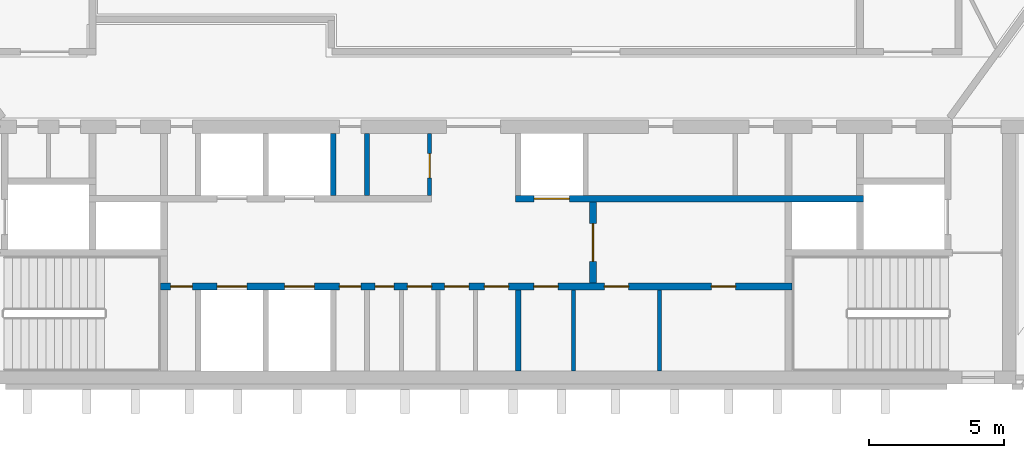
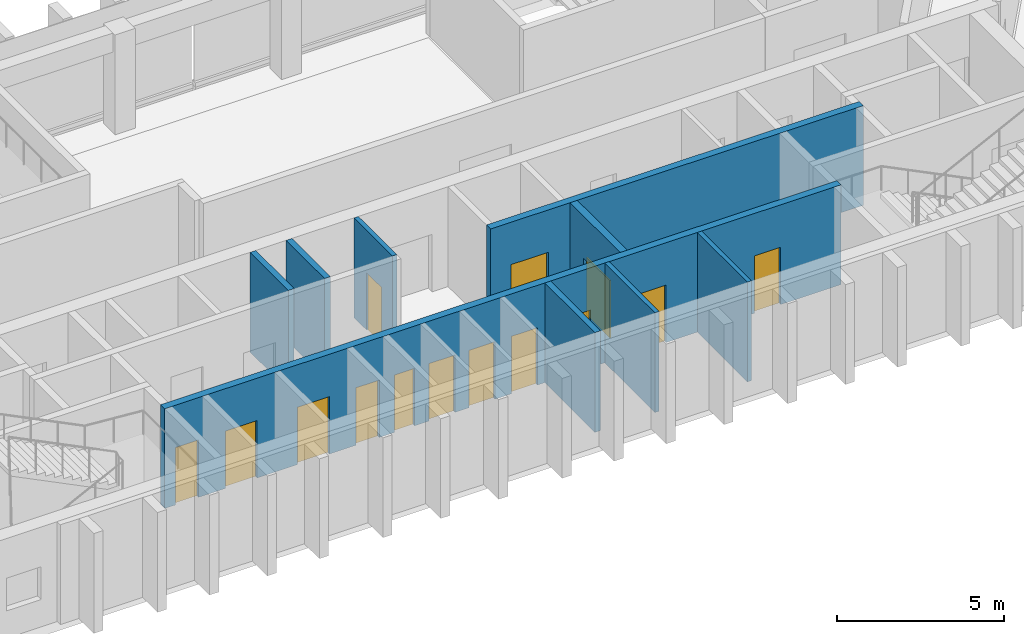
# One storey, part 6 of 10: 14 doors, 9 walls, 14 openings.
"""IFC4 building model written with IfcOpenShell, lengths in metres."""

from ifc_helpers import new_model, si_unit, direction, frame, frame_2d, origin, place, context, subcontext, project, spatial, rectangle, extrude, material, layer, layer_set, type_object, element, fill, save


model = new_model("IFC4")

# Units and contexts
model_context = context("Model", 3, precision=1e-05, world=origin(), true_north=direction((0.0, 1.0)))
body_context = subcontext(model_context, "Body", "Model", "MODEL_VIEW")
ifc_project = project(units=[si_unit("LENGTHUNIT", "METRE"), si_unit("AREAUNIT", "SQUARE_METRE"), si_unit("VOLUMEUNIT", "CUBIC_METRE"), si_unit("PLANEANGLEUNIT", "RADIAN"), si_unit("MASSUNIT", "GRAM", prefix="KILO")], contexts=[model_context])

# Site, building, storey
site_placement = place(None, origin())
site = spatial("IfcSite", under=ifc_project, at=site_placement, CompositionType="ELEMENT")
building_placement = place(site_placement, origin())
building = spatial("IfcBuilding", under=site, at=building_placement, Name="Quipu Civic Tower", CompositionType="ELEMENT")
storey_placement = place(building_placement, frame((0.0, 0.0, 265.0)))
storey = spatial("IfcBuildingStorey", under=building, at=storey_placement, Name="L62", CompositionType="ELEMENT", Elevation=265.0)

# Wall, openings, doors
ifc_material_1 = material(Name="Concrete C70/85", Category="concrete")
ifc_layer_1 = layer(ifc_material_1, 0.25)
ifc_layer_set_1 = layer_set([ifc_layer_1], Name="Concrete C70/85")
wall_type_1 = type_object("IfcWallType", Name="Core wall 250", PredefinedType="SHEAR", material=ifc_layer_set_1)
wall_1_placement = place(storey_placement, frame((11.699951171875, -7.375, 0.0), z_axis=(0.0, 0.0, 1.0), x_axis=(-1.0, 0.0, 0.0)))
wall_1 = element("IfcWall", 1, at=wall_1_placement, inside=storey, type_object=wall_type_1, Name="Core wall", PredefinedType="SHEAR", context=body_context, shape_type="SweptSolid", body=[
    extrude(rectangle(XDim=23.39990234375, YDim=0.25, at=frame_2d((11.699951171875, 0.0))), origin(), (0.0, 0.0, 1.0), 3.64990234375),
])
opening_1_placement = place(wall_1_placement, frame((22.22509765625, 0.0, 0.0)))
opening_1 = element("IfcOpeningElement", 2, at=opening_1_placement, cuts=wall_1, Name="Opening CD-01", PredefinedType="OPENING", context=body_context, shape_type="SweptSolid", body=[
    extrude(rectangle(XDim=0.800048828125, YDim=2.10009765625, at=frame_2d((0.39990234375, 1.050048828125))), frame((0.0, 0.135009765625, 0.0), z_axis=(0.0, -1.0, 0.0), x_axis=(1.0, 0.0, 0.0)), (0.0, 0.0, 1.0), 0.27001953125),
])
opening_2_placement = place(wall_1_placement, frame((20.199951171875, 0.0, 0.0)))
opening_2 = element("IfcOpeningElement", 3, at=opening_2_placement, cuts=wall_1, Name="Opening LD-HL1", PredefinedType="OPENING", context=body_context, shape_type="SweptSolid", body=[
    extrude(rectangle(XDim=1.10009765625, YDim=2.10009765625, at=frame_2d((0.550048828125, 1.050048828125))), frame((0.0, 0.135009765625, 0.0), z_axis=(0.0, -1.0, 0.0), x_axis=(1.0, 0.0, 0.0)), (0.0, 0.0, 1.0), 0.27001953125),
])
opening_3_placement = place(wall_1_placement, frame((17.699951171875, 0.0, 0.0)))
opening_3 = element("IfcOpeningElement", 4, at=opening_3_placement, cuts=wall_1, Name="Opening LD-HL2", PredefinedType="OPENING", context=body_context, shape_type="SweptSolid", body=[
    extrude(rectangle(XDim=1.10009765625, YDim=2.10009765625, at=frame_2d((0.550048828125, 1.050048828125))), frame((0.0, 0.135009765625, 0.0), z_axis=(0.0, -1.0, 0.0), x_axis=(1.0, 0.0, 0.0)), (0.0, 0.0, 1.0), 0.27001953125),
])
opening_4_placement = place(wall_1_placement, frame((15.97509765625, 0.0, 0.0)))
opening_4 = element("IfcOpeningElement", 5, at=opening_4_placement, cuts=wall_1, Name="Opening CD-02", PredefinedType="OPENING", context=body_context, shape_type="SweptSolid", body=[
    extrude(rectangle(XDim=0.800048828125, YDim=2.10009765625, at=frame_2d((0.39990234375, 1.050048828125))), frame((0.0, 0.135009765625, 0.0), z_axis=(0.0, -1.0, 0.0), x_axis=(1.0, 0.0, 0.0)), (0.0, 0.0, 1.0), 0.27001953125),
])
opening_5_placement = place(wall_1_placement, frame((14.75, 0.0, 0.0)))
opening_5 = element("IfcOpeningElement", 6, at=opening_5_placement, cuts=wall_1, Name="Opening CD-03", PredefinedType="OPENING", context=body_context, shape_type="SweptSolid", body=[
    extrude(rectangle(XDim=0.699951171875, YDim=2.10009765625, at=frame_2d((0.35009765625, 1.050048828125))), frame((0.0, 0.135009765625, 0.0), z_axis=(0.0, -1.0, 0.0), x_axis=(1.0, 0.0, 0.0)), (0.0, 0.0, 1.0), 0.27001953125),
])
opening_6_placement = place(wall_1_placement, frame((13.35009765625, 0.0, 0.0)))
opening_6 = element("IfcOpeningElement", 7, at=opening_6_placement, cuts=wall_1, Name="Opening CD-04", PredefinedType="OPENING", context=body_context, shape_type="SweptSolid", body=[
    extrude(rectangle(XDim=0.89990234375, YDim=2.10009765625, at=frame_2d((0.449951171875, 1.050048828125))), frame((0.0, 0.135009765625, 0.0), z_axis=(0.0, -1.0, 0.0), x_axis=(1.0, 0.0, 0.0)), (0.0, 0.0, 1.0), 0.27001953125),
])
opening_7_placement = place(wall_1_placement, frame((11.97509765625, 0.0, 0.0)))
opening_7 = element("IfcOpeningElement", 8, at=opening_7_placement, cuts=wall_1, Name="Opening CD-05", PredefinedType="OPENING", context=body_context, shape_type="SweptSolid", body=[
    extrude(rectangle(XDim=0.89990234375, YDim=2.10009765625, at=frame_2d((0.449951171875, 1.050048828125))), frame((0.0, 0.135009765625, 0.0), z_axis=(0.0, -1.0, 0.0), x_axis=(1.0, 0.0, 0.0)), (0.0, 0.0, 1.0), 0.27001953125),
])
opening_8_placement = place(wall_1_placement, frame((10.5, 0.0, 0.0)))
opening_8 = element("IfcOpeningElement", 9, at=opening_8_placement, cuts=wall_1, Name="Opening CD-06", PredefinedType="OPENING", context=body_context, shape_type="SweptSolid", body=[
    extrude(rectangle(XDim=0.89990234375, YDim=2.10009765625, at=frame_2d((0.449951171875, 1.050048828125))), frame((0.0, 0.135009765625, 0.0), z_axis=(0.0, -1.0, 0.0), x_axis=(1.0, 0.0, 0.0)), (0.0, 0.0, 1.0), 0.27001953125),
])
opening_9_placement = place(wall_1_placement, frame((8.6630859375, 0.0, 0.0)))
opening_9 = element("IfcOpeningElement", 10, at=opening_9_placement, cuts=wall_1, Name="Opening CD-07", PredefinedType="OPENING", context=body_context, shape_type="SweptSolid", body=[
    extrude(rectangle(XDim=0.89990234375, YDim=2.10009765625, at=frame_2d((0.449951171875, 1.050048828125))), frame((0.0, 0.135009765625, 0.0), z_axis=(0.0, -1.0, 0.0), x_axis=(1.0, 0.0, 0.0)), (0.0, 0.0, 1.0), 0.27001953125),
])
opening_10_placement = place(wall_1_placement, frame((6.050048828125, 0.0, 0.0)))
opening_10 = element("IfcOpeningElement", 11, at=opening_10_placement, cuts=wall_1, Name="Opening CD-08", PredefinedType="OPENING", context=body_context, shape_type="SweptSolid", body=[
    extrude(rectangle(XDim=0.89990234375, YDim=2.10009765625, at=frame_2d((0.449951171875, 1.050048828125))), frame((0.0, 0.135009765625, 0.0), z_axis=(0.0, -1.0, 0.0), x_axis=(1.0, 0.0, 0.0)), (0.0, 0.0, 1.0), 0.27001953125),
])
opening_11_placement = place(wall_1_placement, frame((2.087890625, 0.0, 0.0)))
opening_11 = element("IfcOpeningElement", 12, at=opening_11_placement, cuts=wall_1, Name="Opening CD-09", PredefinedType="OPENING", context=body_context, shape_type="SweptSolid", body=[
    extrude(rectangle(XDim=0.89990234375, YDim=2.10009765625, at=frame_2d((0.449951171875, 1.050048828125))), frame((0.0, 0.135009765625, 0.0), z_axis=(0.0, -1.0, 0.0), x_axis=(1.0, 0.0, 0.0)), (0.0, 0.0, 1.0), 0.27001953125),
])
ifc_material_2 = material(Name="Fire rated steel door", Category="steel")
door_type_1 = type_object("IfcDoorType", Name="Fire door FD60 700 x 2100", OperationType="NOTDEFINED", PredefinedType="DOOR", material=ifc_material_2)
door_1_placement = place(opening_5_placement, origin())
door_1 = element("IfcDoor", 13, at=door_1_placement, inside=storey, type_object=door_type_1, Name="Door", OperationType="SINGLE_SWING_RIGHT", OverallHeight=2.10009765625, OverallWidth=0.699951171875, PredefinedType="DOOR", context=body_context, shape_type="SweptSolid", body=[
    extrude(rectangle(XDim=0.699951171875, YDim=2.10009765625, at=frame_2d((0.35009765625, 1.050048828125))), frame((0.0, 0.02490234375, 0.0), z_axis=(0.0, -1.0, 0.0), x_axis=(1.0, 0.0, 0.0)), (0.0, 0.0, 1.0), 0.050048828125),
])
fill(opening_5, door_1)
ifc_material_3 = material(Name="Fire rated steel door", Category="steel")
door_type_2 = type_object("IfcDoorType", Name="Fire door FD60 800 x 2100", OperationType="NOTDEFINED", PredefinedType="DOOR", material=ifc_material_3)
door_2_placement = place(opening_1_placement, origin())
door_2 = element("IfcDoor", 14, at=door_2_placement, inside=storey, type_object=door_type_2, Name="Door", OperationType="SINGLE_SWING_RIGHT", OverallHeight=2.10009765625, OverallWidth=0.800048828125, PredefinedType="DOOR", context=body_context, shape_type="SweptSolid", body=[
    extrude(rectangle(XDim=0.800048828125, YDim=2.10009765625, at=frame_2d((0.39990234375, 1.050048828125))), frame((0.0, 0.02490234375, 0.0), z_axis=(0.0, -1.0, 0.0), x_axis=(1.0, 0.0, 0.0)), (0.0, 0.0, 1.0), 0.050048828125),
])
fill(opening_1, door_2)
door_3_placement = place(opening_4_placement, origin())
door_3 = element("IfcDoor", 15, at=door_3_placement, inside=storey, type_object=door_type_2, Name="Door", OperationType="SINGLE_SWING_RIGHT", OverallHeight=2.10009765625, OverallWidth=0.800048828125, PredefinedType="DOOR", context=body_context, shape_type="SweptSolid", body=[
    extrude(rectangle(XDim=0.800048828125, YDim=2.10009765625, at=frame_2d((0.39990234375, 1.050048828125))), frame((0.0, 0.02490234375, 0.0), z_axis=(0.0, -1.0, 0.0), x_axis=(1.0, 0.0, 0.0)), (0.0, 0.0, 1.0), 0.050048828125),
])
fill(opening_4, door_3)
ifc_material_4 = material(Name="Fire rated steel door", Category="steel")
door_type_3 = type_object("IfcDoorType", Name="Fire door FD60 900 x 2100", OperationType="NOTDEFINED", PredefinedType="DOOR", material=ifc_material_4)
door_4_placement = place(opening_6_placement, origin())
door_4 = element("IfcDoor", 16, at=door_4_placement, inside=storey, type_object=door_type_3, Name="WC door", OperationType="SINGLE_SWING_RIGHT", OverallHeight=2.10009765625, OverallWidth=0.89990234375, PredefinedType="DOOR", context=body_context, shape_type="SweptSolid", body=[
    extrude(rectangle(XDim=0.89990234375, YDim=2.10009765625, at=frame_2d((0.449951171875, 1.050048828125))), frame((0.0, 0.02490234375, 0.0), z_axis=(0.0, -1.0, 0.0), x_axis=(1.0, 0.0, 0.0)), (0.0, 0.0, 1.0), 0.050048828125),
])
fill(opening_6, door_4)
door_5_placement = place(opening_7_placement, origin())
door_5 = element("IfcDoor", 17, at=door_5_placement, inside=storey, type_object=door_type_3, Name="WC door", OperationType="SINGLE_SWING_RIGHT", OverallHeight=2.10009765625, OverallWidth=0.89990234375, PredefinedType="DOOR", context=body_context, shape_type="SweptSolid", body=[
    extrude(rectangle(XDim=0.89990234375, YDim=2.10009765625, at=frame_2d((0.449951171875, 1.050048828125))), frame((0.0, 0.02490234375, 0.0), z_axis=(0.0, -1.0, 0.0), x_axis=(1.0, 0.0, 0.0)), (0.0, 0.0, 1.0), 0.050048828125),
])
fill(opening_7, door_5)
door_6_placement = place(opening_8_placement, origin())
door_6 = element("IfcDoor", 18, at=door_6_placement, inside=storey, type_object=door_type_3, Name="WC door", OperationType="SINGLE_SWING_LEFT", OverallHeight=2.10009765625, OverallWidth=0.89990234375, PredefinedType="DOOR", context=body_context, shape_type="SweptSolid", body=[
    extrude(rectangle(XDim=0.89990234375, YDim=2.10009765625, at=frame_2d((0.449951171875, 1.050048828125))), frame((0.0, 0.02490234375, 0.0), z_axis=(0.0, -1.0, 0.0), x_axis=(1.0, 0.0, 0.0)), (0.0, 0.0, 1.0), 0.050048828125),
])
fill(opening_8, door_6)
door_7_placement = place(opening_9_placement, origin())
door_7 = element("IfcDoor", 19, at=door_7_placement, inside=storey, type_object=door_type_3, Name="Door", OperationType="SINGLE_SWING_LEFT", OverallHeight=2.10009765625, OverallWidth=0.89990234375, PredefinedType="DOOR", context=body_context, shape_type="SweptSolid", body=[
    extrude(rectangle(XDim=0.89990234375, YDim=2.10009765625, at=frame_2d((0.449951171875, 1.050048828125))), frame((0.0, 0.02490234375, 0.0), z_axis=(0.0, -1.0, 0.0), x_axis=(1.0, 0.0, 0.0)), (0.0, 0.0, 1.0), 0.050048828125),
])
fill(opening_9, door_7)
door_8_placement = place(opening_10_placement, origin())
door_8 = element("IfcDoor", 20, at=door_8_placement, inside=storey, type_object=door_type_3, Name="Door", OperationType="SINGLE_SWING_LEFT", OverallHeight=2.10009765625, OverallWidth=0.89990234375, PredefinedType="DOOR", context=body_context, shape_type="SweptSolid", body=[
    extrude(rectangle(XDim=0.89990234375, YDim=2.10009765625, at=frame_2d((0.449951171875, 1.050048828125))), frame((0.0, 0.02490234375, 0.0), z_axis=(0.0, -1.0, 0.0), x_axis=(1.0, 0.0, 0.0)), (0.0, 0.0, 1.0), 0.050048828125),
])
fill(opening_10, door_8)
door_9_placement = place(opening_11_placement, origin())
door_9 = element("IfcDoor", 21, at=door_9_placement, inside=storey, type_object=door_type_3, Name="Door", OperationType="SINGLE_SWING_LEFT", OverallHeight=2.10009765625, OverallWidth=0.89990234375, PredefinedType="DOOR", context=body_context, shape_type="SweptSolid", body=[
    extrude(rectangle(XDim=0.89990234375, YDim=2.10009765625, at=frame_2d((0.449951171875, 1.050048828125))), frame((0.0, 0.02490234375, 0.0), z_axis=(0.0, -1.0, 0.0), x_axis=(1.0, 0.0, 0.0)), (0.0, 0.0, 1.0), 0.050048828125),
])
fill(opening_11, door_9)
ifc_material_5 = material(Name="Stainless steel", Category="steel")
door_type_4 = type_object("IfcDoorType", Name="Lift landing door 1100 x 2100", OperationType="DOUBLE_DOOR_SLIDING", PredefinedType="DOOR", material=ifc_material_5)
door_10_placement = place(opening_2_placement, origin())
door_10 = element("IfcDoor", 22, at=door_10_placement, inside=storey, type_object=door_type_4, Name="Landing door HL1", OperationType="DOUBLE_DOOR_SLIDING", OverallHeight=2.10009765625, OverallWidth=1.10009765625, PredefinedType="DOOR", context=body_context, shape_type="SweptSolid", body=[
    extrude(rectangle(XDim=1.10009765625, YDim=2.10009765625, at=frame_2d((0.550048828125, 1.050048828125))), frame((0.0, 0.02490234375, 0.0), z_axis=(0.0, -1.0, 0.0), x_axis=(1.0, 0.0, 0.0)), (0.0, 0.0, 1.0), 0.050048828125),
])
fill(opening_2, door_10)
door_11_placement = place(opening_3_placement, origin())
door_11 = element("IfcDoor", 23, at=door_11_placement, inside=storey, type_object=door_type_4, Name="Landing door HL2", OperationType="DOUBLE_DOOR_SLIDING", OverallHeight=2.10009765625, OverallWidth=1.10009765625, PredefinedType="DOOR", context=body_context, shape_type="SweptSolid", body=[
    extrude(rectangle(XDim=1.10009765625, YDim=2.10009765625, at=frame_2d((0.550048828125, 1.050048828125))), frame((0.0, 0.02490234375, 0.0), z_axis=(0.0, -1.0, 0.0), x_axis=(1.0, 0.0, 0.0)), (0.0, 0.0, 1.0), 0.050048828125),
])
fill(opening_3, door_11)

# Wall, opening, door
wall_2_placement = place(storey_placement, frame((4.324951171875, -7.25, 0.0), z_axis=(0.0, 0.0, 1.0), x_axis=(0.0, 1.0, 0.0)))
wall_2 = element("IfcWall", 24, at=wall_2_placement, inside=storey, type_object=wall_type_1, Name="Core wall", PredefinedType="SHEAR", context=body_context, shape_type="SweptSolid", body=[
    extrude(rectangle(XDim=3.0, YDim=0.25, at=frame_2d((1.5, 0.0))), origin(), (0.0, 0.0, 1.0), 3.64990234375),
])
opening_12_placement = place(wall_2_placement, frame((0.800048828125, 0.0, 0.0)))
opening_12 = element("IfcOpeningElement", 25, at=opening_12_placement, cuts=wall_2, Name="Opening CD-12", PredefinedType="OPENING", context=body_context, shape_type="SweptSolid", body=[
    extrude(rectangle(XDim=1.39990234375, YDim=2.10009765625, at=frame_2d((0.699951171875, 1.050048828125))), frame((0.0, 0.135009765625, 0.0), z_axis=(0.0, -1.0, 0.0), x_axis=(1.0, 0.0, 0.0)), (0.0, 0.0, 1.0), 0.27001953125),
])
ifc_material_6 = material(Name="Fire rated steel door", Category="steel")
door_type_5 = type_object("IfcDoorType", Name="Fire door FD60 double 1400 x 2100", OperationType="NOTDEFINED", PredefinedType="DOOR", material=ifc_material_6)
door_12_placement = place(opening_12_placement, origin())
door_12 = element("IfcDoor", 26, at=door_12_placement, inside=storey, type_object=door_type_5, Name="Hall door", OperationType="DOUBLE_DOOR_SINGLE_SWING", OverallHeight=2.10009765625, OverallWidth=1.39990234375, PredefinedType="DOOR", context=body_context, shape_type="SweptSolid", body=[
    extrude(rectangle(XDim=1.39990234375, YDim=2.10009765625, at=frame_2d((0.699951171875, 1.050048828125))), frame((0.0, 0.02490234375, 0.0), z_axis=(0.0, -1.0, 0.0), x_axis=(1.0, 0.0, 0.0)), (0.0, 0.0, 1.0), 0.050048828125),
])
fill(opening_12, door_12)

wall_3_placement = place(storey_placement, frame((1.449951171875, -4.125, 0.0), z_axis=(0.0, 0.0, 1.0), x_axis=(1.0, 0.0, 0.0)))
wall_3 = element("IfcWall", 27, at=wall_3_placement, inside=storey, type_object=wall_type_1, Name="Core wall", PredefinedType="SHEAR", context=body_context, shape_type="SweptSolid", body=[
    extrude(rectangle(XDim=12.900146484375, YDim=0.25, at=frame_2d((6.4501953125, 0.0))), origin(), (0.0, 0.0, 1.0), 3.64990234375),
])
opening_13_placement = place(wall_3_placement, frame((0.699951171875, 0.0, 0.0)))
opening_13 = element("IfcOpeningElement", 28, at=opening_13_placement, cuts=wall_3, Name="Opening LD-FF3", PredefinedType="OPENING", context=body_context, shape_type="SweptSolid", body=[
    extrude(rectangle(XDim=1.300048828125, YDim=2.10009765625, at=frame_2d((0.64990234375, 1.050048828125))), frame((0.0, 0.135009765625, 0.0), z_axis=(0.0, -1.0, 0.0), x_axis=(1.0, 0.0, 0.0)), (0.0, 0.0, 1.0), 0.27001953125),
])
ifc_material_7 = material(Name="Stainless steel", Category="steel")
door_type_6 = type_object("IfcDoorType", Name="Lift landing door 1300 x 2100", OperationType="DOUBLE_DOOR_SLIDING", PredefinedType="DOOR", material=ifc_material_7)
door_13_placement = place(opening_13_placement, origin())
door_13 = element("IfcDoor", 29, at=door_13_placement, inside=storey, type_object=door_type_6, Name="Landing door FF3", OperationType="DOUBLE_DOOR_SLIDING", OverallHeight=2.10009765625, OverallWidth=1.300048828125, PredefinedType="DOOR", context=body_context, shape_type="SweptSolid", body=[
    extrude(rectangle(XDim=1.300048828125, YDim=2.10009765625, at=frame_2d((0.64990234375, 1.050048828125))), frame((0.0, 0.02490234375, 0.0), z_axis=(0.0, -1.0, 0.0), x_axis=(1.0, 0.0, 0.0)), (0.0, 0.0, 1.0), 0.050048828125),
])
fill(opening_13, door_13)

# Walls
ifc_material_8 = material(Name="Gypsum board partition")
ifc_layer_2 = layer(ifc_material_8, 0.14990234375)
ifc_layer_set_2 = layer_set([ifc_layer_2], Name="Gypsum board partition")
wall_type_2 = type_object("IfcWallType", Name="Partition 150", PredefinedType="PARTITIONING", material=ifc_layer_set_2)
for number, where, z_axis, x_axis, name in (
    (30, (3.60009765625, -10.5, 0.0), (0.0, 0.0, 1.0), (0.0, 1.0, 0.0), "Partition"),
    (31, (6.800048828125, -10.5, 0.0), (0.0, 0.0, 1.0), (0.0, 1.0, 0.0), "Partition"),
):
    element("IfcWall", number, at=place(storey_placement, frame(where, z_axis=z_axis, x_axis=x_axis)), inside=storey, type_object=wall_type_2, Name=name, PredefinedType="PARTITIONING", context=body_context, shape_type="SweptSolid", body=[
        extrude(rectangle(XDim=3.0, YDim=0.14990234375, at=frame_2d((1.5, 0.0))), origin(), (0.0, 0.0, 1.0), 3.64990234375),
    ])

# Wall, opening, door
wall_4_placement = place(storey_placement, frame((-1.72509765625, -1.699951171875, 0.0), z_axis=(0.0, 0.0, 1.0), x_axis=(0.0, -1.0, 0.0)))
wall_4 = element("IfcWall", 32, at=wall_4_placement, inside=storey, type_object=wall_type_2, Name="Partition", PredefinedType="PARTITIONING", context=body_context, shape_type="SweptSolid", body=[
    extrude(rectangle(XDim=2.300048828125, YDim=0.14990234375, at=frame_2d((1.14990234375, 0.0))), origin(), (0.0, 0.0, 1.0), 3.64990234375),
])
opening_14_placement = place(wall_4_placement, frame((0.75, 0.0, 0.0)))
opening_14 = element("IfcOpeningElement", 33, at=opening_14_placement, cuts=wall_4, Name="Opening CD-13", PredefinedType="OPENING", context=body_context, shape_type="SweptSolid", body=[
    extrude(rectangle(XDim=0.89990234375, YDim=2.10009765625, at=frame_2d((0.449951171875, 1.050048828125))), frame((0.0, 0.0849609375, 0.0), z_axis=(0.0, -1.0, 0.0), x_axis=(1.0, 0.0, 0.0)), (0.0, 0.0, 1.0), 0.169921875),
])
door_14_placement = place(opening_14_placement, origin())
door_14 = element("IfcDoor", 34, at=door_14_placement, inside=storey, type_object=door_type_3, Name="WC door", OperationType="SINGLE_SWING_RIGHT", OverallHeight=2.10009765625, OverallWidth=0.89990234375, PredefinedType="DOOR", context=body_context, shape_type="SweptSolid", body=[
    extrude(rectangle(XDim=0.89990234375, YDim=2.10009765625, at=frame_2d((0.449951171875, 1.050048828125))), frame((0.0, 0.02490234375, 0.0), z_axis=(0.0, -1.0, 0.0), x_axis=(1.0, 0.0, 0.0)), (0.0, 0.0, 1.0), 0.050048828125),
])
fill(opening_14, door_14)

# Walls
ifc_material_9 = material(Name="Concrete C40/50", Category="concrete")
ifc_layer_3 = layer(ifc_material_9, 0.199951171875)
ifc_layer_set_3 = layer_set([ifc_layer_3], Name="Concrete C40/50")
wall_type_3 = type_object("IfcWallType", Name="Shaft wall 200", PredefinedType="SOLIDWALL", material=ifc_layer_set_3)
wall_5_placement = place(storey_placement, frame((1.550048828125, -10.5, 0.0), z_axis=(0.0, 0.0, 1.0), x_axis=(0.0, 1.0, 0.0)))
element("IfcWall", 35, at=wall_5_placement, inside=storey, type_object=wall_type_3, Name="Shaft wall", PredefinedType="SOLIDWALL", context=body_context, shape_type="SweptSolid", body=[
    extrude(rectangle(XDim=3.0, YDim=0.199951171875, at=frame_2d((1.5, 0.0))), origin(), (0.0, 0.0, 1.0), 3.64990234375),
])
for number, where, z_axis, x_axis, name in (
    (36, (-5.300048828125, -4.0, 0.0), (0.0, 0.0, 1.0), (0.0, 1.0, 0.0), "Shaft wall"),
    (37, (-4.050048828125, -4.0, 0.0), (0.0, 0.0, 1.0), (0.0, 1.0, 0.0), "Shaft wall"),
):
    element("IfcWall", number, at=place(storey_placement, frame(where, z_axis=z_axis, x_axis=x_axis)), inside=storey, type_object=wall_type_3, Name=name, PredefinedType="SOLIDWALL", context=body_context, shape_type="SweptSolid", body=[
        extrude(rectangle(XDim=2.300048828125, YDim=0.199951171875, at=frame_2d((1.14990234375, 0.0))), origin(), (0.0, 0.0, 1.0), 3.64990234375),
    ])

save(model, "model.ifc")
